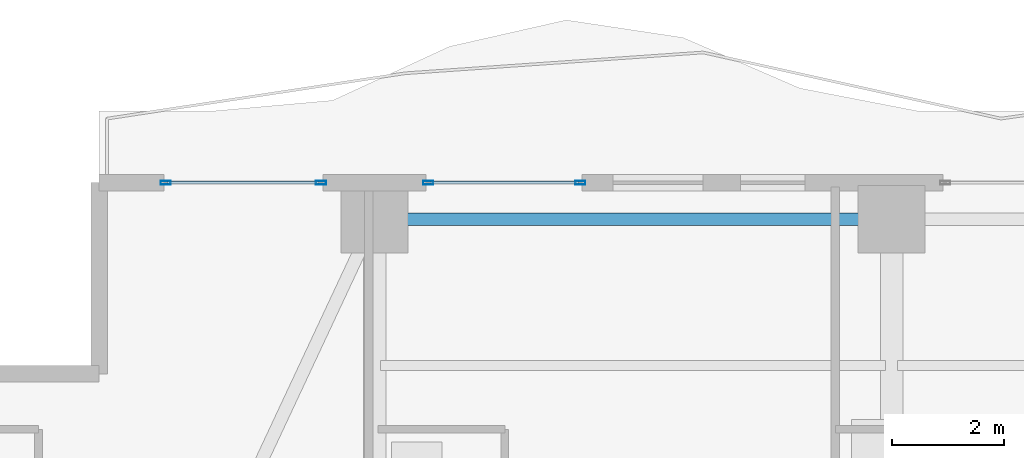
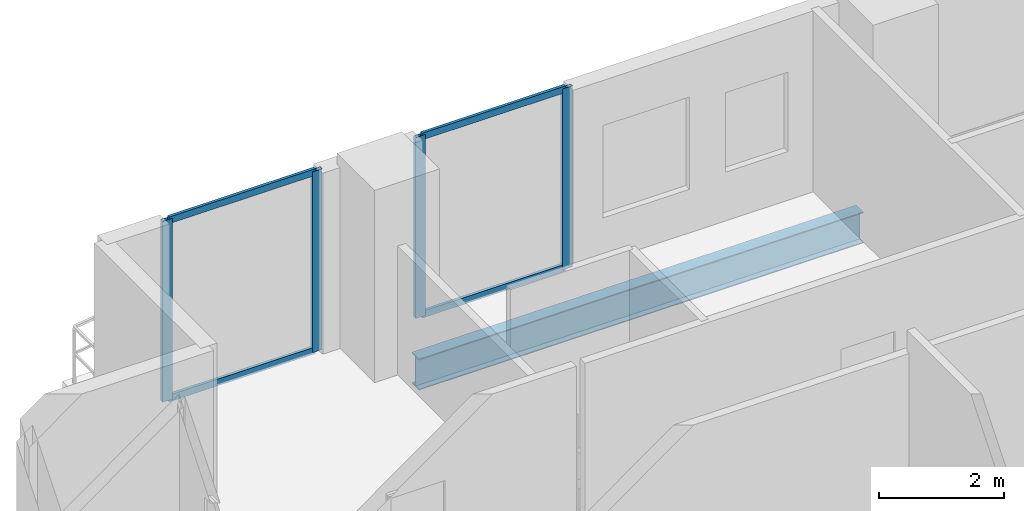
# One storey, part 17 of 32: 8 members, 1 beam, 2 elements without a shape of their own.
"""IFC4 building model written with IfcOpenShell, lengths in metres."""

import ifcopenshell
import ifcopenshell.guid

model = None  # the IFC model being written
_history = None  # IfcOwnerHistory: only IFC2X3 demands one
_inside = {}  # id of a spatial element -> (the spatial element, [elements in it])
_under = {}  # id of a project, library or spatial element -> (it, [spatial elements below it])
_declared = {}  # id of a project -> (the project, [libraries it declares])
_typed = {}  # id of a type object -> (the type object, [elements of that type])
_made_of = {}  # id of a material, layer set ... -> (it, [elements and type objects made of it])


def new_model(schema):
    """Start an empty IFC model of exactly this schema.

    Asked for "IFC4X3", IfcOpenShell would pick the latest addendum, in which some entities
    have other attributes; the version numbers below select the first issue.
    IFC2X3 requires an IfcOwnerHistory on every rooted entity: one is made here for all.
    """
    global model, _history
    if schema == "IFC4X3":
        model = ifcopenshell.file(schema_version=(4, 3, 0, 0))
    else:
        model = ifcopenshell.file(schema=schema)
    _inside.clear()
    _under.clear()
    _declared.clear()
    _typed.clear()
    _made_of.clear()
    _history = None
    if model.schema == "IFC2X3":
        org = make("IfcOrganization", Name="unknown")
        user = make(
            "IfcPersonAndOrganization",
            ThePerson=make("IfcPerson", FamilyName="unknown"),
            TheOrganization=org,
        )
        app = make(
            "IfcApplication",
            ApplicationDeveloper=org,
            Version="unknown",
            ApplicationFullName="unknown",
            ApplicationIdentifier="unknown",
        )
        _history = make(
            "IfcOwnerHistory",
            OwningUser=user,
            OwningApplication=app,
            ChangeAction="ADDED",
            CreationDate=0,
        )
    return model


def make(cls, **values):
    """One entity of the class cls with the attributes given. An attribute that is None is left unset."""
    return model.create_entity(
        cls, **{name: value for name, value in values.items() if value is not None}
    )


def rooted(cls, **values):
    """An entity with a GlobalId (a new one), such as an element, a storey or a relation."""
    return make(cls, GlobalId=ifcopenshell.guid.new(), OwnerHistory=_history, **values)


def si_unit(unit_type, name, prefix=None):
    """IfcSIUnit, for example si_unit("LENGTHUNIT", "METRE", prefix="MILLI")."""
    return make("IfcSIUnit", UnitType=unit_type, Prefix=prefix, Name=name)


def assignment(units):
    """IfcUnitAssignment: the units of a project."""
    return None if units is None else make("IfcUnitAssignment", Units=units)


def point(xyz):
    """IfcCartesianPoint."""
    return None if xyz is None else make("IfcCartesianPoint", Coordinates=xyz)


def direction(xyz):
    """IfcDirection."""
    return None if xyz is None else make("IfcDirection", DirectionRatios=xyz)


def frame(location, z_axis=None, x_axis=None):
    """IfcAxis2Placement3D, a coordinate frame: its origin and axes. An axis left out is left unset."""
    return make(
        "IfcAxis2Placement3D",
        Location=point(location),
        Axis=direction(z_axis),
        RefDirection=direction(x_axis),
    )


def frame_2d(location, x_axis=None):
    """IfcAxis2Placement2D, a coordinate frame in the plane: its origin and x axis."""
    return make(
        "IfcAxis2Placement2D", Location=point(location), RefDirection=direction(x_axis)
    )


def origin():
    """The frame at (0, 0, 0) with its axes left unset."""
    return frame((0.0, 0.0, 0.0))


def origin_2d():
    """The frame at (0, 0) in the plane with its x axis left unset."""
    return frame_2d((0.0, 0.0))


def place(relative_to, where):
    """IfcLocalPlacement: puts the frame where relative to a parent placement (None: the world)."""
    return make(
        "IfcLocalPlacement", PlacementRelTo=relative_to, RelativePlacement=where
    )


def context(
    kind, dimensions, precision=None, world=None, true_north=None, identifier=None
):
    """IfcGeometricRepresentationContext, for example the 3D "Model" context."""
    return make(
        "IfcGeometricRepresentationContext",
        ContextIdentifier=identifier,
        ContextType=kind,
        CoordinateSpaceDimension=dimensions,
        Precision=precision,
        WorldCoordinateSystem=world,
        TrueNorth=true_north,
    )


def subcontext(parent, identifier, kind, view, scale=None):
    """IfcGeometricRepresentationSubContext, for example "Body" below "Model"."""
    return make(
        "IfcGeometricRepresentationSubContext",
        ContextIdentifier=identifier,
        ContextType=kind,
        ParentContext=parent,
        TargetScale=scale,
        TargetView=view,
    )


def project(units=None, contexts=None):
    """IfcProject with its units and contexts."""
    return rooted(
        "IfcProject",
        Name="project",
        RepresentationContexts=contexts,
        UnitsInContext=assignment(units),
    )


def spatial(cls, under=None, at=None, **own):
    """A site, building, storey or space (cls), placed at a placement, below another one or the project."""
    s = rooted(cls, ObjectPlacement=at, **own)
    if under is not None:
        _under.setdefault(under.id(), (under, []))[1].append(s)
    return s


def profile(cls, at=None, kind="AREA", **sizes):
    """A parametric profile (cls). Its sizes go by their IFC names, for example OverallWidth=200.0."""
    return make(cls, ProfileType=kind, Position=at, **sizes)


def hollow_rectangle(**sizes):
    """IfcRectangleHollowProfileDef."""
    return profile("IfcRectangleHollowProfileDef", **sizes)


def i_section(**sizes):
    """IfcIShapeProfileDef."""
    return profile("IfcIShapeProfileDef", **sizes)


def extrude(swept, where, along, depth):
    """IfcExtrudedAreaSolid: the profile swept, set in the frame where, extruded along a direction by depth."""
    return make(
        "IfcExtrudedAreaSolid",
        SweptArea=swept,
        Position=where,
        ExtrudedDirection=direction(along),
        Depth=depth,
    )


def shape(context_of_items, identifier, shape_type, items):
    """IfcShapeRepresentation: the items that make up one representation, for example the "Body"."""
    return make(
        "IfcShapeRepresentation",
        ContextOfItems=context_of_items,
        RepresentationIdentifier=identifier,
        RepresentationType=shape_type,
        Items=items,
    )


def material(Name=None, Category=None):
    """IfcMaterial."""
    return make("IfcMaterial", Name=Name, Category=Category)


def layer(
    of_material, thickness, ventilated=None, Name=None, Category=None, Priority=None
):
    """IfcMaterialLayer: one layer of a wall or slab, of a material (None: an air gap)."""
    return make(
        "IfcMaterialLayer",
        Material=of_material,
        LayerThickness=thickness,
        IsVentilated=ventilated,
        Name=Name,
        Category=Category,
        Priority=Priority,
    )


def layer_set(layers, Name=None):
    """IfcMaterialLayerSet."""
    return make("IfcMaterialLayerSet", MaterialLayers=layers, LayerSetName=Name)


def material_profile(
    of_material, cross_section, Name=None, Category=None, Priority=None
):
    """IfcMaterialProfile: a cross section and its material."""
    return make(
        "IfcMaterialProfile",
        Name=Name,
        Material=of_material,
        Profile=cross_section,
        Priority=Priority,
        Category=Category,
    )


def profile_set(profiles, Name=None, composite=None):
    """IfcMaterialProfileSet."""
    return make(
        "IfcMaterialProfileSet",
        Name=Name,
        MaterialProfiles=profiles,
        CompositeProfile=composite,
    )


def made_of(thing, what):
    """Note that an element or type object is made of a material, layer set ...; save() writes the relation."""
    if what is not None:
        _made_of.setdefault(what.id(), (what, []))[1].append(thing)
    return thing


def type_object(cls, material=None, **own):
    """A type object (cls), such as IfcWallType, which elements share."""
    return made_of(rooted(cls, **own), material)


def element(
    cls,
    number,
    at=None,
    inside=None,
    cuts=None,
    type_object=None,
    material=None,
    context=None,
    identifier="Body",
    shape_type=None,
    held_by="IfcProductDefinitionShape",
    body=None,
    shapes=None,
    **own,
):
    """One element of the class cls, such as IfcWall. Its Tag is "e" and its number.

    at: its placement. inside: the storey or other place that contains it. cuts: it is an
    opening in that element (IfcRelVoidsElement). A single representation is given by context,
    identifier, shape_type and body (its items); several are given by shapes. held_by: the class
    of the entity that holds the representations. save() writes the other relations.
    """
    e = rooted(cls, Tag="e%d" % number, ObjectPlacement=at, **own)
    if body is not None:
        shapes = [shape(context, identifier, shape_type, body)]
    if shapes is not None:
        e.Representation = make(held_by, Representations=shapes)
    if inside is not None:
        _inside.setdefault(inside.id(), (inside, []))[1].append(e)
    if cuts is not None:
        rooted(
            "IfcRelVoidsElement", RelatingBuildingElement=cuts, RelatedOpeningElement=e
        )
    if type_object is not None:
        _typed.setdefault(type_object.id(), (type_object, []))[1].append(e)
    return made_of(e, material)


def aggregate(whole, parts):
    """IfcRelAggregates: a whole, such as a stair, and the parts it consists of."""
    return rooted("IfcRelAggregates", RelatingObject=whole, RelatedObjects=parts)


def save(model, path):
    """Write the relations noted so far, then the file.

    IfcRelAggregates (storeys below a building ...), IfcRelContainedInSpatialStructure (elements
    in a storey), IfcRelDefinesByType, IfcRelAssociatesMaterial and IfcRelDeclares: one each for
    every whole, place, type object, material and project.
    """
    for whole, parts in _under.values():
        aggregate(whole, parts)
    for where, things in _inside.values():
        rooted(
            "IfcRelContainedInSpatialStructure",
            RelatedElements=things,
            RelatingStructure=where,
        )
    for kind, things in _typed.values():
        rooted("IfcRelDefinesByType", RelatedObjects=things, RelatingType=kind)
    for what, things in _made_of.values():
        rooted("IfcRelAssociatesMaterial", RelatedObjects=things, RelatingMaterial=what)
    for by, libraries in _declared.values():
        rooted("IfcRelDeclares", RelatingContext=by, RelatedDefinitions=libraries)
    model.write(path)


model = new_model("IFC4")

# Units and contexts
model_context = context("Model", 3, precision=1e-05, world=origin(), true_north=direction((0.0, 1.0)))
body_context = subcontext(model_context, "Body", "Model", "MODEL_VIEW")
ifc_project = project(units=[si_unit("LENGTHUNIT", "METRE"), si_unit("AREAUNIT", "SQUARE_METRE"), si_unit("VOLUMEUNIT", "CUBIC_METRE"), si_unit("PLANEANGLEUNIT", "RADIAN"), si_unit("MASSUNIT", "GRAM", prefix="KILO")], contexts=[model_context])

# Site, building, storey
site_placement = place(None, origin())
site = spatial("IfcSite", under=ifc_project, at=site_placement, CompositionType="ELEMENT")
building_placement = place(site_placement, origin())
building = spatial("IfcBuilding", under=site, at=building_placement, Name="Zuhayl Quay Hotel", CompositionType="ELEMENT")
storey_placement = place(building_placement, frame((0.0, 0.0, 196.14990234375)))
storey = spatial("IfcBuildingStorey", under=building, at=storey_placement, Name="L49", CompositionType="ELEMENT", Elevation=196.14990234375)

# Beam
ifc_material_1 = material(Name="Steel ASTM A992 Grade 50", Category="steel")
ifc_material_profile_1 = material_profile(ifc_material_1, i_section(OverallWidth=0.22802734375, OverallDepth=0.60693359375, WebThickness=0.01123046875, FlangeThickness=0.017333984375, at=origin_2d()), Name="W24X76")
ifc_profile_set_1 = profile_set([ifc_material_profile_1], Name="Steel ASTM A992 Grade 50")
beam_type = type_object("IfcBeamType", Name="BM_B3_W24X76", PredefinedType="BEAM", material=ifc_profile_set_1)
beam_placement = place(storey_placement, frame((-5.10009765625, 32.949951171875, -0.5234375), z_axis=(-1.0, 0.0, 0.0), x_axis=(0.0, -1.0, 0.0)))
element("IfcBeam", 1, at=beam_placement, inside=storey, type_object=beam_type, Name="L49 Floor Beam RG_L49_09", PredefinedType="BEAM", context=body_context, shape_type="SweptSolid", body=[
    extrude(i_section(OverallWidth=0.22802734375, OverallDepth=0.60693359375, WebThickness=0.01123046875, FlangeThickness=0.017333984375, at=origin_2d()), origin(), (0.0, 0.0, 1.0), 8.199951171875),
])

# Curtain wall, members
ifc_material_2 = material(Name="Anodised Aluminium 6063-T6", Category="aluminium")
ifc_layer = layer(ifc_material_2, 0.175048828125, Name="Anodised Aluminium 6063-T6", Category="aluminium")
ifc_layer_set = layer_set([ifc_layer], Name="Anodised Aluminium 6063-T6")
curtain_wall_type = type_object("IfcCurtainWallType", Name="CW_SYS_Z3", PredefinedType="USERDEFINED", material=ifc_layer_set)
curtain_wall_1_placement = place(storey_placement, origin())
curtain_wall_1 = element("IfcCurtainWall", 2, at=curtain_wall_1_placement, inside=storey, type_object=curtain_wall_type, Name="L49 Curtain Wall ENV_L49_N_CW1", ObjectType="UNITISED CURTAIN WALL", PredefinedType="USERDEFINED")
ifc_material_3 = material(Name="Black-anodised aluminium 6063-T6", Category="aluminium")
ifc_material_profile_2 = material_profile(ifc_material_3, hollow_rectangle(XDim=0.06494140625, YDim=0.179931640625, WallThickness=0.00341796875, at=origin_2d()), Name="ALU180X65")
ifc_profile_set_2 = profile_set([ifc_material_profile_2], Name="Black-anodised aluminium 6063-T6")
member_type_1 = type_object("IfcMemberType", Name="MB_CW_MUL_180", PredefinedType="MULLION", material=ifc_profile_set_2)
member_1_placement = place(storey_placement, frame((-17.517578125, 33.60009765625, 0.0), z_axis=(0.0, 0.0, 1.0), x_axis=(0.0, 1.0, 0.0)))
member_1 = element("IfcMember", 3, at=member_1_placement, type_object=member_type_1, Name="CW-Z3 mullion 1", PredefinedType="MULLION", context=body_context, shape_type="SweptSolid", body=[
    extrude(hollow_rectangle(XDim=0.06494140625, YDim=0.179931640625, WallThickness=0.00341796875, at=origin_2d()), origin(), (0.0, 0.0, 1.0), 3.530029296875),
])
member_2_placement = place(storey_placement, frame((-14.75244140625, 33.60009765625, 0.0), z_axis=(0.0, 0.0, 1.0), x_axis=(0.0, 1.0, 0.0)))
member_2 = element("IfcMember", 4, at=member_2_placement, type_object=member_type_1, Name="CW-Z3 mullion 2", PredefinedType="MULLION", context=body_context, shape_type="SweptSolid", body=[
    extrude(hollow_rectangle(XDim=0.06494140625, YDim=0.179931640625, WallThickness=0.00341796875, at=origin_2d()), origin(), (0.0, 0.0, 1.0), 3.530029296875),
])

curtain_wall_2_placement = place(storey_placement, origin())
curtain_wall_2 = element("IfcCurtainWall", 5, at=curtain_wall_2_placement, inside=storey, type_object=curtain_wall_type, Name="L49 Curtain Wall ENV_L49_N_CW2", ObjectType="UNITISED CURTAIN WALL", PredefinedType="USERDEFINED")
member_3_placement = place(storey_placement, frame((-12.847412109375, 33.60009765625, 0.0), z_axis=(0.0, 0.0, 1.0), x_axis=(0.0, 1.0, 0.0)))
member_3 = element("IfcMember", 6, at=member_3_placement, type_object=member_type_1, Name="CW-Z3 mullion 1", PredefinedType="MULLION", context=body_context, shape_type="SweptSolid", body=[
    extrude(hollow_rectangle(XDim=0.06494140625, YDim=0.179931640625, WallThickness=0.00341796875, at=origin_2d()), origin(), (0.0, 0.0, 1.0), 3.530029296875),
])
member_4_placement = place(storey_placement, frame((-10.136474609375, 33.60009765625, 0.0), z_axis=(0.0, 0.0, 1.0), x_axis=(0.0, 1.0, 0.0)))
member_4 = element("IfcMember", 7, at=member_4_placement, type_object=member_type_1, Name="CW-Z3 mullion 2", PredefinedType="MULLION", context=body_context, shape_type="SweptSolid", body=[
    extrude(hollow_rectangle(XDim=0.06494140625, YDim=0.179931640625, WallThickness=0.00341796875, at=origin_2d()), origin(), (0.0, 0.0, 1.0), 3.530029296875),
])

# Member
ifc_material_profile_3 = material_profile(ifc_material_3, hollow_rectangle(XDim=0.054931640625, YDim=0.1298828125, WallThickness=0.0029296875, at=origin_2d()), Name="ALU130X55")
ifc_profile_set_3 = profile_set([ifc_material_profile_3], Name="Black-anodised aluminium 6063-T6")
member_type_2 = type_object("IfcMemberType", Name="MB_CW_TRN_130", PredefinedType="USERDEFINED", material=ifc_profile_set_3)
member_5_placement = place(storey_placement, frame((-17.485107421875, 33.60009765625, 0.027587890625), z_axis=(1.0, 0.0, 0.0), x_axis=(0.0, 1.0, 0.0)))
member_5 = element("IfcMember", 8, at=member_5_placement, type_object=member_type_2, Name="CW-Z3 transom 1.1", ObjectType="TRANSOM", PredefinedType="USERDEFINED", context=body_context, shape_type="SweptSolid", body=[
    extrude(hollow_rectangle(XDim=0.054931640625, YDim=0.1298828125, WallThickness=0.0029296875, at=origin_2d()), origin(), (0.0, 0.0, 1.0), 2.7001953125),
])

member_6_placement = place(storey_placement, frame((-17.485107421875, 33.60009765625, 3.502685546875), z_axis=(1.0, 0.0, 0.0), x_axis=(0.0, 1.0, 0.0)))
member_6 = element("IfcMember", 9, at=member_6_placement, type_object=member_type_2, Name="CW-Z3 transom 1.2", ObjectType="TRANSOM", PredefinedType="USERDEFINED", context=body_context, shape_type="SweptSolid", body=[
    extrude(hollow_rectangle(XDim=0.054931640625, YDim=0.1298828125, WallThickness=0.0029296875, at=origin_2d()), origin(), (0.0, 0.0, 1.0), 2.7001953125),
])

aggregate(curtain_wall_1, [member_1, member_2, member_5, member_6])

member_7_placement = place(storey_placement, frame((-12.81494140625, 33.60009765625, 0.027587890625), z_axis=(1.0, 0.0, 0.0), x_axis=(0.0, 1.0, 0.0)))
member_7 = element("IfcMember", 10, at=member_7_placement, type_object=member_type_2, Name="CW-Z3 transom 1.1", ObjectType="TRANSOM", PredefinedType="USERDEFINED", context=body_context, shape_type="SweptSolid", body=[
    extrude(hollow_rectangle(XDim=0.054931640625, YDim=0.1298828125, WallThickness=0.0029296875, at=origin_2d()), origin(), (0.0, 0.0, 1.0), 2.64599609375),
])

member_8_placement = place(storey_placement, frame((-12.81494140625, 33.60009765625, 3.502685546875), z_axis=(1.0, 0.0, 0.0), x_axis=(0.0, 1.0, 0.0)))
member_8 = element("IfcMember", 11, at=member_8_placement, type_object=member_type_2, Name="CW-Z3 transom 1.2", ObjectType="TRANSOM", PredefinedType="USERDEFINED", context=body_context, shape_type="SweptSolid", body=[
    extrude(hollow_rectangle(XDim=0.054931640625, YDim=0.1298828125, WallThickness=0.0029296875, at=origin_2d()), origin(), (0.0, 0.0, 1.0), 2.64599609375),
])

aggregate(curtain_wall_2, [member_3, member_4, member_7, member_8])

save(model, "model.ifc")
